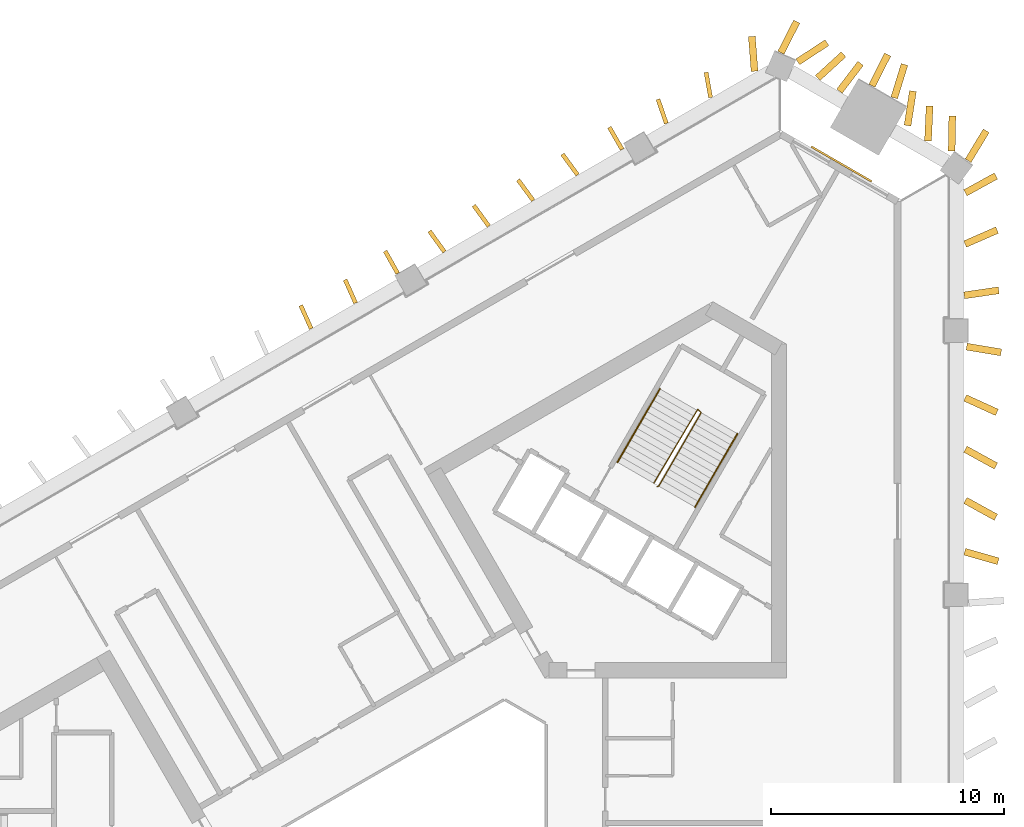
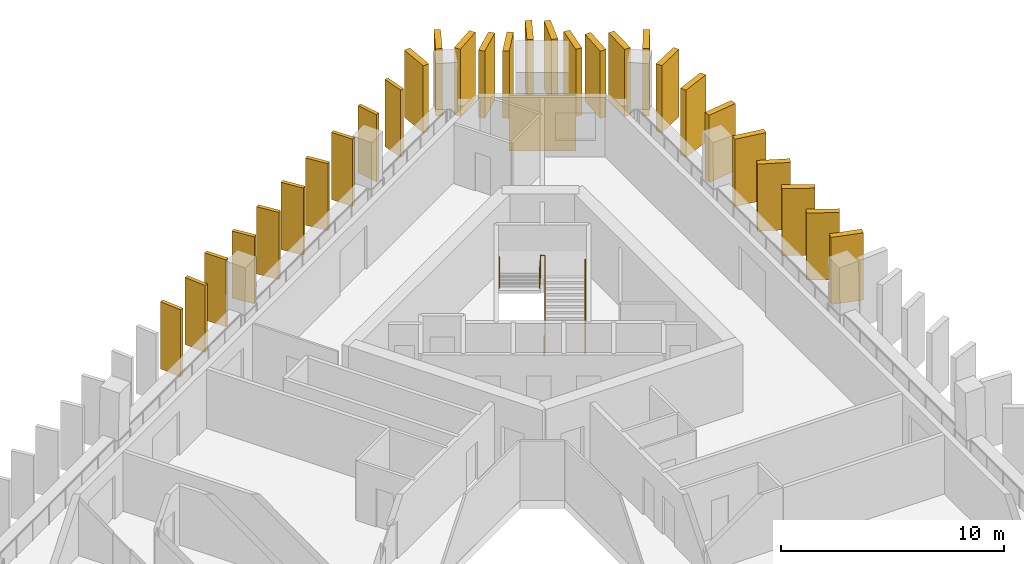
# One storey, part 10 of 10: 29 shading devices, 3 railings, 1 covering.
"""IFC4 building model written with IfcOpenShell, lengths in metres."""

import ifcopenshell
import ifcopenshell.guid

model = None  # the IFC model being written
_history = None  # IfcOwnerHistory: only IFC2X3 demands one
_inside = {}  # id of a spatial element -> (the spatial element, [elements in it])
_under = {}  # id of a project, library or spatial element -> (it, [spatial elements below it])
_declared = {}  # id of a project -> (the project, [libraries it declares])
_typed = {}  # id of a type object -> (the type object, [elements of that type])
_made_of = {}  # id of a material, layer set ... -> (it, [elements and type objects made of it])


def new_model(schema):
    """Start an empty IFC model of exactly this schema.

    Asked for "IFC4X3", IfcOpenShell would pick the latest addendum, in which some entities
    have other attributes; the version numbers below select the first issue.
    IFC2X3 requires an IfcOwnerHistory on every rooted entity: one is made here for all.
    """
    global model, _history
    if schema == "IFC4X3":
        model = ifcopenshell.file(schema_version=(4, 3, 0, 0))
    else:
        model = ifcopenshell.file(schema=schema)
    _inside.clear()
    _under.clear()
    _declared.clear()
    _typed.clear()
    _made_of.clear()
    _history = None
    if model.schema == "IFC2X3":
        org = make("IfcOrganization", Name="unknown")
        user = make(
            "IfcPersonAndOrganization",
            ThePerson=make("IfcPerson", FamilyName="unknown"),
            TheOrganization=org,
        )
        app = make(
            "IfcApplication",
            ApplicationDeveloper=org,
            Version="unknown",
            ApplicationFullName="unknown",
            ApplicationIdentifier="unknown",
        )
        _history = make(
            "IfcOwnerHistory",
            OwningUser=user,
            OwningApplication=app,
            ChangeAction="ADDED",
            CreationDate=0,
        )
    return model


def make(cls, **values):
    """One entity of the class cls with the attributes given. An attribute that is None is left unset."""
    return model.create_entity(
        cls, **{name: value for name, value in values.items() if value is not None}
    )


def rooted(cls, **values):
    """An entity with a GlobalId (a new one), such as an element, a storey or a relation."""
    return make(cls, GlobalId=ifcopenshell.guid.new(), OwnerHistory=_history, **values)


def si_unit(unit_type, name, prefix=None):
    """IfcSIUnit, for example si_unit("LENGTHUNIT", "METRE", prefix="MILLI")."""
    return make("IfcSIUnit", UnitType=unit_type, Prefix=prefix, Name=name)


def assignment(units):
    """IfcUnitAssignment: the units of a project."""
    return None if units is None else make("IfcUnitAssignment", Units=units)


def point(xyz):
    """IfcCartesianPoint."""
    return None if xyz is None else make("IfcCartesianPoint", Coordinates=xyz)


def direction(xyz):
    """IfcDirection."""
    return None if xyz is None else make("IfcDirection", DirectionRatios=xyz)


def frame(location, z_axis=None, x_axis=None):
    """IfcAxis2Placement3D, a coordinate frame: its origin and axes. An axis left out is left unset."""
    return make(
        "IfcAxis2Placement3D",
        Location=point(location),
        Axis=direction(z_axis),
        RefDirection=direction(x_axis),
    )


def frame_2d(location, x_axis=None):
    """IfcAxis2Placement2D, a coordinate frame in the plane: its origin and x axis."""
    return make(
        "IfcAxis2Placement2D", Location=point(location), RefDirection=direction(x_axis)
    )


def origin():
    """The frame at (0, 0, 0) with its axes left unset."""
    return frame((0.0, 0.0, 0.0))


def origin_2d():
    """The frame at (0, 0) in the plane with its x axis left unset."""
    return frame_2d((0.0, 0.0))


def place(relative_to, where):
    """IfcLocalPlacement: puts the frame where relative to a parent placement (None: the world)."""
    return make(
        "IfcLocalPlacement", PlacementRelTo=relative_to, RelativePlacement=where
    )


def context(
    kind, dimensions, precision=None, world=None, true_north=None, identifier=None
):
    """IfcGeometricRepresentationContext, for example the 3D "Model" context."""
    return make(
        "IfcGeometricRepresentationContext",
        ContextIdentifier=identifier,
        ContextType=kind,
        CoordinateSpaceDimension=dimensions,
        Precision=precision,
        WorldCoordinateSystem=world,
        TrueNorth=true_north,
    )


def subcontext(parent, identifier, kind, view, scale=None):
    """IfcGeometricRepresentationSubContext, for example "Body" below "Model"."""
    return make(
        "IfcGeometricRepresentationSubContext",
        ContextIdentifier=identifier,
        ContextType=kind,
        ParentContext=parent,
        TargetScale=scale,
        TargetView=view,
    )


def project(units=None, contexts=None):
    """IfcProject with its units and contexts."""
    return rooted(
        "IfcProject",
        Name="project",
        RepresentationContexts=contexts,
        UnitsInContext=assignment(units),
    )


def spatial(cls, under=None, at=None, **own):
    """A site, building, storey or space (cls), placed at a placement, below another one or the project."""
    s = rooted(cls, ObjectPlacement=at, **own)
    if under is not None:
        _under.setdefault(under.id(), (under, []))[1].append(s)
    return s


def profile(cls, at=None, kind="AREA", **sizes):
    """A parametric profile (cls). Its sizes go by their IFC names, for example OverallWidth=200.0."""
    return make(cls, ProfileType=kind, Position=at, **sizes)


def rectangle(**sizes):
    """IfcRectangleProfileDef."""
    return profile("IfcRectangleProfileDef", **sizes)


def circle(**sizes):
    """IfcCircleProfileDef."""
    return profile("IfcCircleProfileDef", **sizes)


def extrude(swept, where, along, depth):
    """IfcExtrudedAreaSolid: the profile swept, set in the frame where, extruded along a direction by depth."""
    return make(
        "IfcExtrudedAreaSolid",
        SweptArea=swept,
        Position=where,
        ExtrudedDirection=direction(along),
        Depth=depth,
    )


def shape(context_of_items, identifier, shape_type, items):
    """IfcShapeRepresentation: the items that make up one representation, for example the "Body"."""
    return make(
        "IfcShapeRepresentation",
        ContextOfItems=context_of_items,
        RepresentationIdentifier=identifier,
        RepresentationType=shape_type,
        Items=items,
    )


def material(Name=None, Category=None):
    """IfcMaterial."""
    return make("IfcMaterial", Name=Name, Category=Category)


def layer(
    of_material, thickness, ventilated=None, Name=None, Category=None, Priority=None
):
    """IfcMaterialLayer: one layer of a wall or slab, of a material (None: an air gap)."""
    return make(
        "IfcMaterialLayer",
        Material=of_material,
        LayerThickness=thickness,
        IsVentilated=ventilated,
        Name=Name,
        Category=Category,
        Priority=Priority,
    )


def layer_set(layers, Name=None):
    """IfcMaterialLayerSet."""
    return make("IfcMaterialLayerSet", MaterialLayers=layers, LayerSetName=Name)


def made_of(thing, what):
    """Note that an element or type object is made of a material, layer set ...; save() writes the relation."""
    if what is not None:
        _made_of.setdefault(what.id(), (what, []))[1].append(thing)
    return thing


def type_object(cls, material=None, **own):
    """A type object (cls), such as IfcWallType, which elements share."""
    return made_of(rooted(cls, **own), material)


def element(
    cls,
    number,
    at=None,
    inside=None,
    cuts=None,
    type_object=None,
    material=None,
    context=None,
    identifier="Body",
    shape_type=None,
    held_by="IfcProductDefinitionShape",
    body=None,
    shapes=None,
    **own,
):
    """One element of the class cls, such as IfcWall. Its Tag is "e" and its number.

    at: its placement. inside: the storey or other place that contains it. cuts: it is an
    opening in that element (IfcRelVoidsElement). A single representation is given by context,
    identifier, shape_type and body (its items); several are given by shapes. held_by: the class
    of the entity that holds the representations. save() writes the other relations.
    """
    e = rooted(cls, Tag="e%d" % number, ObjectPlacement=at, **own)
    if body is not None:
        shapes = [shape(context, identifier, shape_type, body)]
    if shapes is not None:
        e.Representation = make(held_by, Representations=shapes)
    if inside is not None:
        _inside.setdefault(inside.id(), (inside, []))[1].append(e)
    if cuts is not None:
        rooted(
            "IfcRelVoidsElement", RelatingBuildingElement=cuts, RelatedOpeningElement=e
        )
    if type_object is not None:
        _typed.setdefault(type_object.id(), (type_object, []))[1].append(e)
    return made_of(e, material)


def aggregate(whole, parts):
    """IfcRelAggregates: a whole, such as a stair, and the parts it consists of."""
    return rooted("IfcRelAggregates", RelatingObject=whole, RelatedObjects=parts)


def save(model, path):
    """Write the relations noted so far, then the file.

    IfcRelAggregates (storeys below a building ...), IfcRelContainedInSpatialStructure (elements
    in a storey), IfcRelDefinesByType, IfcRelAssociatesMaterial and IfcRelDeclares: one each for
    every whole, place, type object, material and project.
    """
    for whole, parts in _under.values():
        aggregate(whole, parts)
    for where, things in _inside.values():
        rooted(
            "IfcRelContainedInSpatialStructure",
            RelatedElements=things,
            RelatingStructure=where,
        )
    for kind, things in _typed.values():
        rooted("IfcRelDefinesByType", RelatedObjects=things, RelatingType=kind)
    for what, things in _made_of.values():
        rooted("IfcRelAssociatesMaterial", RelatedObjects=things, RelatingMaterial=what)
    for by, libraries in _declared.values():
        rooted("IfcRelDeclares", RelatingContext=by, RelatedDefinitions=libraries)
    model.write(path)


model = new_model("IFC4")

# Units and contexts
model_context = context("Model", 3, precision=1e-05, world=origin(), true_north=direction((0.0, 1.0)))
body_context = subcontext(model_context, "Body", "Model", "MODEL_VIEW")
ifc_project = project(units=[si_unit("LENGTHUNIT", "METRE"), si_unit("AREAUNIT", "SQUARE_METRE"), si_unit("VOLUMEUNIT", "CUBIC_METRE"), si_unit("PLANEANGLEUNIT", "RADIAN"), si_unit("MASSUNIT", "GRAM", prefix="KILO")], contexts=[model_context])

# Site, building, storey
site_placement = place(None, origin())
site = spatial("IfcSite", under=ifc_project, at=site_placement, CompositionType="ELEMENT")
building_placement = place(site_placement, origin())
building = spatial("IfcBuilding", under=site, at=building_placement, Name="Jabali Bay Hotel Tower and Convention Centre", CompositionType="ELEMENT")
storey_placement = place(building_placement, frame((0.0, 0.0, 121.60009765625)))
storey = spatial("IfcBuildingStorey", under=building, at=storey_placement, Name="L29", CompositionType="ELEMENT", Elevation=121.60009765625)

# Shading devices
ifc_material_1 = material(Name="Precast concrete C60", Category="concrete")
ifc_layer_1 = layer(ifc_material_1, 0.179931640625)
ifc_layer_set_1 = layer_set([ifc_layer_1], Name="Precast concrete C60")
shading_device_type_1 = type_object("IfcShadingDeviceType", Name="Precast fin 3680 x 1100", PredefinedType="USERDEFINED", material=ifc_layer_set_1)
shading_device_1_placement = place(storey_placement, frame((86.621337890625, 112.718017578125, 0.010009765625), z_axis=(0.0, 0.0, 1.0), x_axis=(-0.174038603077, 0.984738830675, 0.0)))
element("IfcShadingDevice", 1, at=shading_device_1_placement, inside=storey, type_object=shading_device_type_1, Name="Fin L29 036", ObjectType="FIN", PredefinedType="USERDEFINED", context=body_context, shape_type="SweptSolid", body=[
    extrude(rectangle(XDim=1.099853515625, YDim=0.179931640625, at=frame_2d((0.5498046875, 0.0))), origin(), (0.0, 0.0, 1.0), 3.679931640625),
])
shading_device_2_placement = place(storey_placement, frame((84.72119140625, 111.605224609375, 0.010009765625), z_axis=(0.0, 0.0, 1.0), x_axis=(-0.324471846049, 0.945895354213, 0.0)))
element("IfcShadingDevice", 2, at=shading_device_2_placement, inside=storey, type_object=shading_device_type_1, Name="Fin L29 037", ObjectType="FIN", PredefinedType="USERDEFINED", context=body_context, shape_type="SweptSolid", body=[
    extrude(rectangle(XDim=1.10009765625, YDim=0.179931640625, at=frame_2d((0.550048828125, 0.0))), origin(), (0.0, 0.0, 1.0), 3.679931640625),
])
for number, where, z_axis, x_axis, name in (
    (3, (82.82275390625, 110.489501953125, 0.010009765625), (0.0, 0.0, 1.0), (-0.499171535412, 0.866503189973, 0.0), "Fin L29 038"),
    (4, (80.910888671875, 109.39697265625, 0.010009765625), (0.0, 0.0, 1.0), (-0.591835138671, 0.806059035452, 0.0), "Fin L29 039"),
    (5, (79.004150390625, 108.2958984375, 0.010009765625), (0.0, 0.0, 1.0), (-0.590439470946, 0.807081923443, 0.0), "Fin L29 040"),
    (6, (77.097412109375, 107.194580078125, 0.010009765625), (0.0, 0.0, 1.0), (-0.587102143786, 0.809512861394, 0.0), "Fin L29 041"),
):
    element("IfcShadingDevice", number, at=place(storey_placement, frame(where, z_axis=z_axis, x_axis=x_axis)), inside=storey, type_object=shading_device_type_1, Name=name, ObjectType="FIN", PredefinedType="USERDEFINED", context=body_context, shape_type="SweptSolid", body=[
        extrude(rectangle(XDim=1.099853515625, YDim=0.179931640625, at=frame_2d((0.5498046875, 0.0))), origin(), (0.0, 0.0, 1.0), 3.679931640625),
    ])
for number, where, z_axis, x_axis, name in (
    (7, (75.190673828125, 106.09326171875, 0.010009765625), (0.0, 0.0, 1.0), (-0.584152700173, 0.811643778317, 0.0), "Fin L29 042"),
    (8, (73.183837890625, 105.1650390625, 0.010009765625), (0.0, 0.0, 1.0), (-0.490271776943, 0.871569609803, 0.0), "Fin L29 043"),
    (9, (71.376708984375, 103.891357421875, 0.010009765625), (0.0, 0.0, 1.0), (-0.409903233535, 0.912129014525, 0.0), "Fin L29 044"),
    (10, (69.4697265625, 102.790283203125, 0.010009765625), (0.0, 0.0, 1.0), (-0.409903233535, 0.912129014525, 0.0), "Fin L29 045"),
):
    element("IfcShadingDevice", number, at=place(storey_placement, frame(where, z_axis=z_axis, x_axis=x_axis)), inside=storey, type_object=shading_device_type_1, Name=name, ObjectType="FIN", PredefinedType="USERDEFINED", context=body_context, shape_type="SweptSolid", body=[
        extrude(rectangle(XDim=1.10009765625, YDim=0.179931640625, at=frame_2d((0.550048828125, 0.0))), origin(), (0.0, 0.0, 1.0), 3.679931640625),
    ])
ifc_layer_2 = layer(ifc_material_1, 0.300048828125)
ifc_layer_set_2 = layer_set([ifc_layer_2], Name="Precast concrete C60")
shading_device_type_2 = type_object("IfcShadingDeviceType", Name="Precast fin 3680 x 1500", PredefinedType="USERDEFINED", material=ifc_layer_set_2)
for number, where, z_axis, x_axis, name in (
    (11, (97.5341796875, 93.211669921875, 0.010009765625), (0.0, 0.0, 1.0), (0.961793738016, -0.273775100244, 0.0), "Fin L29 019"),
    (12, (97.5654296875, 95.41357421875, 0.010009765625), (0.0, 0.0, 1.0), (0.876016513422, -0.482281109117, 0.0), "Fin L29 020"),
    (13, (97.5654296875, 97.615478515625, 0.010009765625), (0.0, 0.0, 1.0), (0.876016513422, -0.482281109117, 0.0), "Fin L29 021"),
    (14, (97.55517578125, 99.817626953125, 0.010009765625), (0.0, 0.0, 1.0), (0.910260548702, -0.414035908439, 0.0), "Fin L29 022"),
    (15, (97.6201171875, 102.01953125, 0.010009765625), (0.0, 0.0, 1.0), (0.986314629766, -0.164874046197, 0.0), "Fin L29 023"),
    (16, (97.514892578125, 104.221435546875, 0.010009765625), (0.0, 0.0, 1.0), (0.989451961717, 0.144861366331, 0.0), "Fin L29 024"),
    (17, (97.55322265625, 106.42333984375, 0.010009765625), (0.0, 0.0, 1.0), (0.915992900618, 0.401194474062, 0.0), "Fin L29 025"),
    (18, (97.5654296875, 108.625244140625, 0.010009765625), (0.0, 0.0, 1.0), (0.876016513422, 0.482281109117, 0.0), "Fin L29 026"),
    (19, (96.976318359375, 110.42822265625, 0.010009765625), (0.0, 0.0, 1.0), (0.020181465953, 0.999796333476, 0.0), "Fin L29 027"),
):
    element("IfcShadingDevice", number, at=place(storey_placement, frame(where, z_axis=z_axis, x_axis=x_axis)), inside=storey, type_object=shading_device_type_2, Name=name, ObjectType="FIN", PredefinedType="USERDEFINED", context=body_context, shape_type="SweptSolid", body=[
        extrude(rectangle(XDim=1.5, YDim=0.300048828125, at=frame_2d((0.75, 0.0))), origin(), (0.0, 0.0, 1.0), 3.679931640625),
    ])
shading_device_3_placement = place(storey_placement, frame((95.961669921875, 110.8525390625, 0.010009765625), z_axis=(0.0, 0.0, 1.0), x_axis=(0.04557748506, 0.998960806466, 0.0)))
element("IfcShadingDevice", 20, at=shading_device_3_placement, inside=storey, type_object=shading_device_type_2, Name="Fin L29 028", ObjectType="FIN", PredefinedType="USERDEFINED", context=body_context, shape_type="SweptSolid", body=[
    extrude(rectangle(XDim=1.499755859375, YDim=0.300048828125, at=frame_2d((0.75, 0.0))), origin(), (0.0, 0.0, 1.0), 3.679931640625),
])
shading_device_4_placement = place(storey_placement, frame((95.083251953125, 111.5126953125, 0.010009765625), z_axis=(0.0, 0.0, 1.0), x_axis=(0.15348804577, 0.988150504633, 0.0)))
element("IfcShadingDevice", 21, at=shading_device_4_placement, inside=storey, type_object=shading_device_type_2, Name="Fin L29 029", ObjectType="FIN", PredefinedType="USERDEFINED", context=body_context, shape_type="SweptSolid", body=[
    extrude(rectangle(XDim=1.5, YDim=0.300048828125, at=frame_2d((0.75, 0.0))), origin(), (0.0, 0.0, 1.0), 3.679931640625),
])
shading_device_5_placement = place(storey_placement, frame((94.5107421875, 112.70263671875, 0.010009765625), z_axis=(0.0, 0.0, 1.0), x_axis=(0.294074412907, 0.955782527395, 0.0)))
element("IfcShadingDevice", 22, at=shading_device_5_placement, inside=storey, type_object=shading_device_type_2, Name="Fin L29 030", ObjectType="FIN", PredefinedType="USERDEFINED", context=body_context, shape_type="SweptSolid", body=[
    extrude(rectangle(XDim=1.500244140625, YDim=0.300048828125, at=frame_2d((0.75, 0.0))), origin(), (0.0, 0.0, 1.0), 3.679931640625),
])
for number, where, z_axis, x_axis, name in (
    (23, (93.553466796875, 113.226318359375, 0.010009765625), (0.0, 0.0, 1.0), (0.451830092385, 0.892104011658, 0.0), "Fin L29 031"),
    (24, (92.157958984375, 112.990966796875, 0.010009765625), (0.0, 0.0, 1.0), (0.606283475593, 0.795248607181, 0.0), "Fin L29 032"),
    (25, (91.226318359375, 113.55908203125, 0.010009765625), (0.0, 0.0, 1.0), (0.738288134433, 0.674485456148, 0.0), "Fin L29 033"),
    (26, (90.3662109375, 114.25048828125, 0.010009765625), (0.0, 0.0, 1.0), (0.835737490734, 0.549129171127, 0.0), "Fin L29 034"),
):
    element("IfcShadingDevice", number, at=place(storey_placement, frame(where, z_axis=z_axis, x_axis=x_axis)), inside=storey, type_object=shading_device_type_2, Name=name, ObjectType="FIN", PredefinedType="USERDEFINED", context=body_context, shape_type="SweptSolid", body=[
        extrude(rectangle(XDim=1.5, YDim=0.300048828125, at=frame_2d((0.75, 0.0))), origin(), (0.0, 0.0, 1.0), 3.679931640625),
    ])
shading_device_6_placement = place(storey_placement, frame((88.511474609375, 113.84814453125, 0.010009765625), z_axis=(0.0, 0.0, 1.0), x_axis=(-0.078115129851, 0.99694434473, 0.0)))
element("IfcShadingDevice", 27, at=shading_device_6_placement, inside=storey, type_object=shading_device_type_2, Name="Fin L29 035", ObjectType="FIN", PredefinedType="USERDEFINED", context=body_context, shape_type="SweptSolid", body=[
    extrude(rectangle(XDim=1.500244140625, YDim=0.300048828125, at=frame_2d((0.75, 0.0))), origin(), (0.0, 0.0, 1.0), 3.679931640625),
])
for number, where, z_axis, x_axis, name in (
    (28, (97.685302734375, 110.006103515625, 0.010009765625), (0.0, 0.0, 1.0), (0.517699236622, 0.85556268058, 0.0), "Fin L29 106"),
    (29, (89.643310546875, 114.64404296875, 0.010009765625), (0.0, 0.0, 1.0), (0.454230505432, 0.890884194458, 0.0), "Fin L29 107"),
):
    element("IfcShadingDevice", number, at=place(storey_placement, frame(where, z_axis=z_axis, x_axis=x_axis)), inside=storey, type_object=shading_device_type_2, Name=name, ObjectType="FIN", PredefinedType="USERDEFINED", context=body_context, shape_type="SweptSolid", body=[
        extrude(rectangle(XDim=1.5, YDim=0.300048828125, at=frame_2d((0.75, 0.0))), origin(), (0.0, 0.0, 1.0), 3.679931640625),
    ])

# Covering
ifc_material_2 = material(Name="Precast concrete C40/50", Category="concrete")
ifc_layer_3 = layer(ifc_material_2, 0.080078125)
ifc_layer_set_3 = layer_set([ifc_layer_3], Name="Precast concrete C40/50")
covering_type = type_object("IfcCoveringType", Name="Relief panel 3000 x 3050", PredefinedType="CLADDING", material=ifc_layer_set_3)
covering_placement = place(storey_placement, frame((92.241943359375, 109.864013671875, 0.10009765625), z_axis=(0.0, 0.0, 1.0), x_axis=(0.866025404325, -0.499999999063, 0.0)))
element("IfcCovering", 30, at=covering_placement, inside=storey, type_object=covering_type, Name="Relief panel L29", PredefinedType="CLADDING", context=body_context, shape_type="SweptSolid", body=[
    extrude(rectangle(XDim=3.0, YDim=0.080078125, at=origin_2d()), origin(), (0.0, 0.0, 1.0), 3.050048828125),
])

# Railings
ifc_material_3 = material(Name="Steel Q355B", Category="steel")
railing_type_1 = type_object("IfcRailingType", Name="Stair guard 1100", PredefinedType="GUARDRAIL", material=ifc_material_3)
railing_1_placement = place(storey_placement, frame((84.329833984375, 96.010009765625, 0.0)))
element("IfcRailing", 31, at=railing_1_placement, inside=storey, type_object=railing_type_1, Name="L29 ST2 stair guard 1", PredefinedType="GUARDRAIL", context=body_context, shape_type="SweptSolid", body=[
    extrude(circle(Radius=0.02392578125, at=origin_2d()), frame((0.0, 0.0, 1.076171875), z_axis=(0.456201556387, 0.122196845461, 0.881446578591), x_axis=(-0.258736085224, 0.965948051503, 0.0)), (0.0, 0.0, 1.0), 0.14990234375),
    extrude(circle(Radius=0.02392578125, at=origin_2d()), frame((0.068359375, 0.018310546875, 1.2080078125), z_axis=(0.452190331055, 0.783190014029, 0.426775475427), x_axis=(-0.866018046521, 0.500012742938, 0.0)), (0.0, 0.0, 1.0), 4.02490234375),
    extrude(circle(Radius=0.02392578125, at=origin_2d()), frame((1.888427734375, 3.170654296875, 2.92578125), z_axis=(-0.718850276695, 0.695164929852, 0.0), x_axis=(-0.695164929852, -0.718850276695, 0.0)), (0.0, 0.0, 1.0), 0.2060546875),
    extrude(circle(Radius=0.02392578125, at=origin_2d()), frame((1.740234375, 3.31396484375, 2.92578125), z_axis=(-0.457445338502, -0.768046879266, 0.448160410493), x_axis=(0.859157857954, -0.511710636118, 0.0)), (0.0, 0.0, 1.0), 4.128173828125),
    extrude(circle(Radius=0.02099609375, at=origin_2d()), origin(), (0.0, 0.0, 1.0), 1.052001953125),
    extrude(circle(Radius=0.02099609375, at=origin_2d()), frame((0.068359375, 0.018310546875, 0.132080078125)), (0.0, 0.0, 1.0), 1.052001953125),
    extrude(circle(Radius=0.02099609375, at=origin_2d()), frame((0.5234375, 0.806396484375, 0.5615234375)), (0.0, 0.0, 1.0), 1.052001953125),
    extrude(circle(Radius=0.02099609375, at=origin_2d()), frame((0.978515625, 1.594482421875, 0.990966796875)), (0.0, 0.0, 1.0), 1.052001953125),
    extrude(circle(Radius=0.02099609375, at=origin_2d()), frame((1.433349609375, 2.382568359375, 1.42041015625)), (0.0, 0.0, 1.0), 1.052001953125),
    extrude(circle(Radius=0.02099609375, at=origin_2d()), frame((1.888427734375, 3.170654296875, 1.849853515625)), (0.0, 0.0, 1.0), 1.052001953125),
    extrude(circle(Radius=0.02099609375, at=origin_2d()), frame((1.740234375, 3.31396484375, 1.849853515625)), (0.0, 0.0, 1.0), 1.052001953125),
    extrude(circle(Radius=0.02099609375, at=origin_2d()), frame((1.26806640625, 2.521240234375, 2.3125)), (0.0, 0.0, 1.0), 1.052001953125),
    extrude(circle(Radius=0.02099609375, at=origin_2d()), frame((0.7958984375, 1.728515625, 2.77490234375)), (0.0, 0.0, 1.0), 1.052001953125),
    extrude(circle(Radius=0.02099609375, at=origin_2d()), frame((0.323974609375, 0.93603515625, 3.2373046875)), (0.0, 0.0, 1.0), 1.052001953125),
    extrude(circle(Radius=0.02099609375, at=origin_2d()), frame((-0.148193359375, 0.143310546875, 3.699951171875)), (0.0, 0.0, 1.0), 1.052001953125),
])
railing_type_2 = type_object("IfcRailingType", Name="Stair handrail 900", PredefinedType="HANDRAIL", material=ifc_material_3)
railing_2_placement = place(storey_placement, frame((85.95703125, 95.128173828125, 0.132080078125)))
element("IfcRailing", 32, at=railing_2_placement, inside=storey, type_object=railing_type_2, Name="L29 ST2 stair handrail 1", PredefinedType="HANDRAIL", context=body_context, shape_type="SweptSolid", body=[
    extrude(circle(Radius=0.02392578125, at=origin_2d()), frame((0.0, 0.0, 0.8759765625), z_axis=(0.452190331055, 0.783190014029, 0.426775475427), x_axis=(-0.866018046521, 0.500012742938, 0.0)), (0.0, 0.0, 1.0), 4.02490234375),
    extrude(circle(Radius=0.02099609375, at=origin_2d()), origin(), (0.0, 0.0, 1.0), 0.851806640625),
    extrude(circle(Radius=0.02099609375, at=origin_2d()), frame((0.455078125, 0.7880859375, 0.429443359375)), (0.0, 0.0, 1.0), 0.851806640625),
    extrude(circle(Radius=0.02099609375, at=origin_2d()), frame((0.91015625, 1.576171875, 0.85888671875)), (0.0, 0.0, 1.0), 0.851806640625),
    extrude(circle(Radius=0.02099609375, at=origin_2d()), frame((1.364990234375, 2.3642578125, 1.288330078125)), (0.0, 0.0, 1.0), 0.851806640625),
    extrude(circle(Radius=0.02099609375, at=origin_2d()), frame((1.820068359375, 3.15234375, 1.7177734375)), (0.0, 0.0, 1.0), 0.851806640625),
])
railing_3_placement = place(storey_placement, frame((84.44287109375, 100.20556640625, 1.98193359375)))
element("IfcRailing", 33, at=railing_3_placement, inside=storey, type_object=railing_type_2, Name="L29 ST2 stair handrail 2", PredefinedType="HANDRAIL", context=body_context, shape_type="SweptSolid", body=[
    extrude(circle(Radius=0.02392578125, at=origin_2d()), frame((0.0, 0.0, 0.8759765625), z_axis=(-0.45217862506, -0.783169739339, 0.426825081763), x_axis=(0.866018046521, -0.500012742938, 0.0)), (0.0, 0.0, 1.0), 4.025146484375),
    extrude(circle(Radius=0.02099609375, at=origin_2d()), origin(), (0.0, 0.0, 1.0), 0.851806640625),
    extrude(circle(Radius=0.02099609375, at=origin_2d()), frame((-0.455078125, -0.7880859375, 0.429443359375)), (0.0, 0.0, 1.0), 0.851806640625),
    extrude(circle(Radius=0.02099609375, at=origin_2d()), frame((-0.91015625, -1.576171875, 0.85888671875)), (0.0, 0.0, 1.0), 0.851806640625),
    extrude(circle(Radius=0.02099609375, at=origin_2d()), frame((-1.364990234375, -2.3642578125, 1.28857421875)), (0.0, 0.0, 1.0), 0.851806640625),
    extrude(circle(Radius=0.02099609375, at=origin_2d()), frame((-1.820068359375, -3.15234375, 1.718017578125)), (0.0, 0.0, 1.0), 0.851806640625),
])

save(model, "model.ifc")
